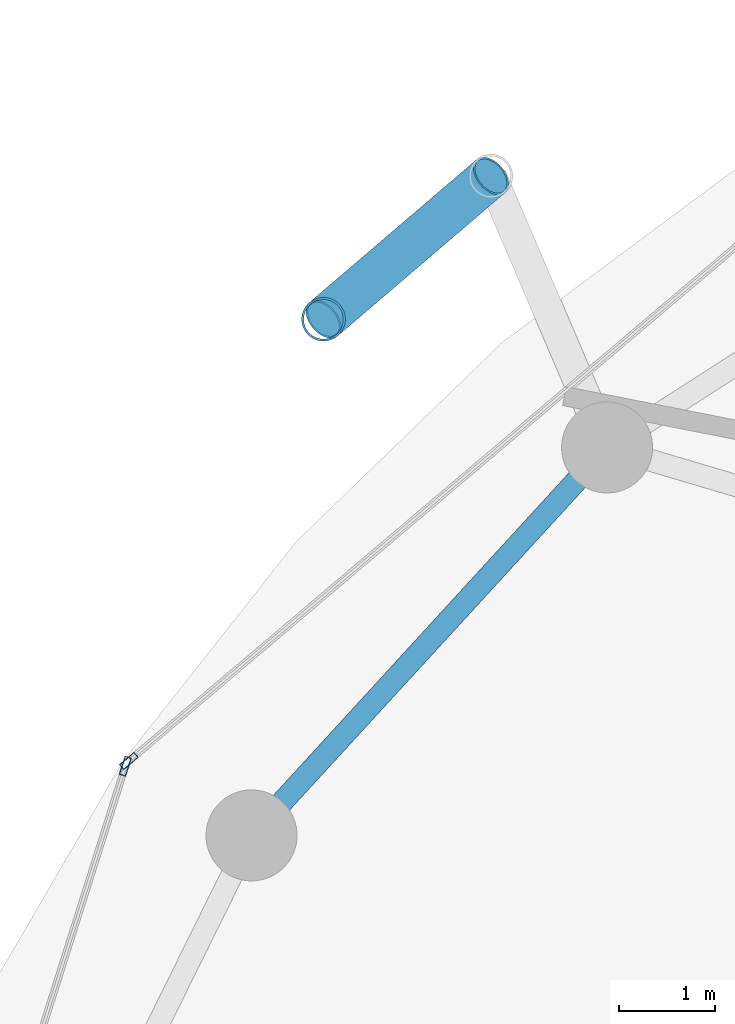
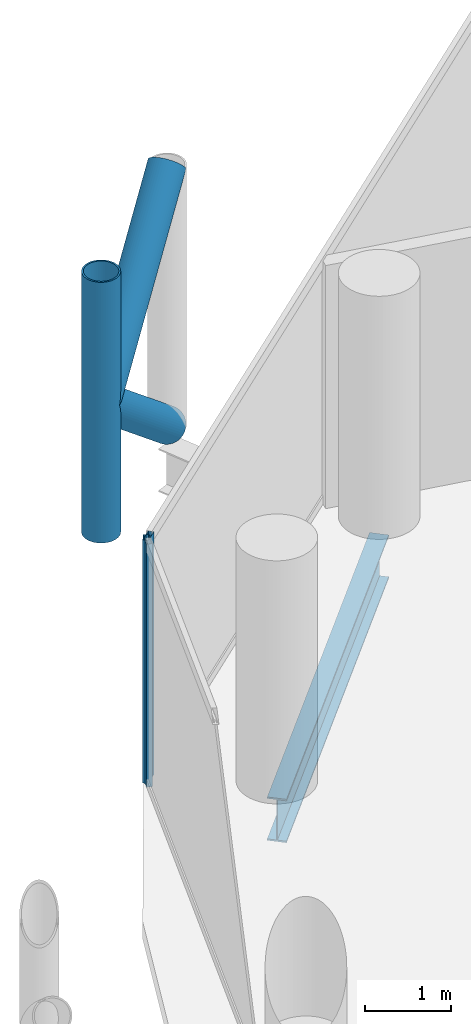
# One storey, part 13 of 26: 5 members, 1 beam, 2 elements without a shape of their own.
"""IFC4 building model written with IfcOpenShell, lengths in metres."""

from ifc_helpers import new_model, si_unit, direction, frame, origin, origin_2d, place, context, subcontext, project, spatial, hollow_rectangle, hollow_circle, i_section, extrude, material, layer, layer_set, material_profile, profile_set, type_object, element, aggregate, save


model = new_model("IFC4")

# Units and contexts
model_context = context("Model", 3, precision=1e-05, world=origin(), true_north=direction((0.0, 1.0)))
body_context = subcontext(model_context, "Body", "Model", "MODEL_VIEW")
ifc_project = project(units=[si_unit("LENGTHUNIT", "METRE"), si_unit("AREAUNIT", "SQUARE_METRE"), si_unit("VOLUMEUNIT", "CUBIC_METRE"), si_unit("PLANEANGLEUNIT", "RADIAN"), si_unit("MASSUNIT", "GRAM", prefix="KILO")], contexts=[model_context])

# Site, building, storey
site_placement = place(None, origin())
site = spatial("IfcSite", under=ifc_project, at=site_placement, CompositionType="ELEMENT")
building_placement = place(site_placement, origin())
building = spatial("IfcBuilding", under=site, at=building_placement, Name="Nuhasar Tower", CompositionType="ELEMENT")
storey_placement = place(building_placement, frame((0.0, 0.0, 136.75)))
storey = spatial("IfcBuildingStorey", under=building, at=storey_placement, Name="L32", CompositionType="ELEMENT", Elevation=136.75)

# Beam
ifc_material_1 = material(Name="Steel S355", Category="steel")
ifc_material_profile_1 = material_profile(ifc_material_1, i_section(OverallWidth=0.22998046875, OverallDepth=0.616943359375, WebThickness=0.01318359375, FlangeThickness=0.022216796875, at=origin_2d()), Name="W24X94")
ifc_profile_set_1 = profile_set([ifc_material_profile_1], Name="Steel S355")
beam_type = type_object("IfcBeamType", Name="BM-RING-W24X94", PredefinedType="SPANDREL", material=ifc_profile_set_1)
beam_placement = place(storey_placement, frame((22.489013671875, 40.6240234375, -0.55908203125), z_axis=(-0.675654174897, -0.737218716491, 0.0), x_axis=(0.737218716491, -0.675654174897, 0.0)))
element("IfcBeam", 1, at=beam_placement, inside=storey, type_object=beam_type, Name="L32 Perimeter Ring Spandrel 10", PredefinedType="SPANDREL", context=body_context, shape_type="SweptSolid", body=[
    extrude(i_section(OverallWidth=0.22998046875, OverallDepth=0.616943359375, WebThickness=0.01318359375, FlangeThickness=0.022216796875, at=origin_2d()), origin(), (0.0, 0.0, 1.0), 5.492431640625),
])

# Curtain wall, member
ifc_material_2 = material(Name="Aluminium 6063-T6", Category="aluminium")
ifc_layer = layer(ifc_material_2, 0.199951171875)
ifc_layer_set = layer_set([ifc_layer], Name="Aluminium 6063-T6")
curtain_wall_type = type_object("IfcCurtainWallType", Name="CW-Z2-HTL", PredefinedType="NOTDEFINED", material=ifc_layer_set)
curtain_wall_1_placement = place(storey_placement, origin())
curtain_wall_1 = element("IfcCurtainWall", 2, at=curtain_wall_1_placement, inside=storey, type_object=curtain_wall_type, Name="L32 Unitised Curtain Wall 05", PredefinedType="NOTDEFINED")
ifc_material_profile_2 = material_profile(ifc_material_2, hollow_rectangle(XDim=0.070068359375, YDim=0.199951171875, WallThickness=0.0048828125, at=origin_2d()), Name="CWM-3")
ifc_profile_set_2 = profile_set([ifc_material_profile_2], Name="Aluminium 6063-T6")
member_type_1 = type_object("IfcMemberType", Name="CW-MUL-S3", PredefinedType="MULLION", material=ifc_profile_set_2)
member_1_placement = place(storey_placement, frame((17.497802734375, 37.3525390625, 0.0), z_axis=(0.0, 0.0, 1.0), x_axis=(0.646374438324, -0.763020370292, 0.0)))
member_1 = element("IfcMember", 3, at=member_1_placement, type_object=member_type_1, Name="CW-Z2 mullion 2", PredefinedType="MULLION", context=body_context, shape_type="SweptSolid", body=[
    extrude(hollow_rectangle(XDim=0.070068359375, YDim=0.199951171875, WallThickness=0.0048828125, at=origin_2d()), origin(), (0.0, 0.0, 1.0), 3.449951171875),
])
aggregate(curtain_wall_1, [member_1])

curtain_wall_2_placement = place(storey_placement, origin())
curtain_wall_2 = element("IfcCurtainWall", 4, at=curtain_wall_2_placement, inside=storey, type_object=curtain_wall_type, Name="L32 Unitised Curtain Wall 06", PredefinedType="NOTDEFINED")
member_2_placement = place(storey_placement, frame((17.46044921875, 37.296630859375, 0.0), z_axis=(0.0, 0.0, 1.0), x_axis=(0.953433389233, -0.301603667577, 0.0)))
member_2 = element("IfcMember", 5, at=member_2_placement, type_object=member_type_1, Name="CW-Z2 mullion 1", PredefinedType="MULLION", context=body_context, shape_type="SweptSolid", body=[
    extrude(hollow_rectangle(XDim=0.070068359375, YDim=0.199951171875, WallThickness=0.0048828125, at=origin_2d()), origin(), (0.0, 0.0, 1.0), 3.449951171875),
])
aggregate(curtain_wall_2, [member_2])

# Members
ifc_material_3 = material(Name="Steel S460", Category="steel")
ifc_material_profile_3 = material_profile(ifc_material_3, hollow_circle(Radius=0.228515625, WallThickness=0.022216796875, at=origin_2d()), Name="HSS457X22.2")
ifc_profile_set_3 = profile_set([ifc_material_profile_3], Name="Steel S460")
member_type_2 = type_object("IfcMemberType", Name="EXO-BRONZE-457", PredefinedType="BRACE", material=ifc_profile_set_3)
member_3_placement = place(storey_placement, frame((19.529052734375, 41.9619140625, 0.0), z_axis=(0.0, 0.0, 1.0), x_axis=(1.0, 0.0, 0.0)))
element("IfcMember", 6, at=member_3_placement, inside=storey, type_object=member_type_2, Name="L32 Exoskeleton Chord Column EC-05B", PredefinedType="BRACE", context=body_context, shape_type="SweptSolid", body=[
    extrude(hollow_circle(Radius=0.228515625, WallThickness=0.022216796875, at=origin_2d()), origin(), (0.0, 0.0, 1.0), 3.699951171875),
])
member_4_placement = place(storey_placement, frame((21.277099609375, 43.45703125, 0.0), z_axis=(-0.592170370358, -0.506487618445, 0.626741210415), x_axis=(0.649986859795, -0.759945446788, 0.0)))
element("IfcMember", 7, at=member_4_placement, inside=storey, type_object=member_type_2, Name="L32 Bronze Diagrid Brace W1-05", PredefinedType="BRACE", context=body_context, shape_type="SweptSolid", body=[
    extrude(hollow_circle(Radius=0.228515625, WallThickness=0.022216796875, at=origin_2d()), origin(), (0.0, 0.0, 1.0), 2.951904296875),
])
member_5_placement = place(storey_placement, frame((19.529052734375, 41.9619140625, 1.85009765625), z_axis=(0.592201065785, 0.506513872468, 0.626690988192), x_axis=(-0.649986859795, 0.759945446788, 0.0)))
element("IfcMember", 8, at=member_5_placement, inside=storey, type_object=member_type_2, Name="L32 Bronze Diagrid Brace W2-05", PredefinedType="BRACE", context=body_context, shape_type="SweptSolid", body=[
    extrude(hollow_circle(Radius=0.228515625, WallThickness=0.022216796875, at=origin_2d()), origin(), (0.0, 0.0, 1.0), 2.95166015625),
])

save(model, "model.ifc")
